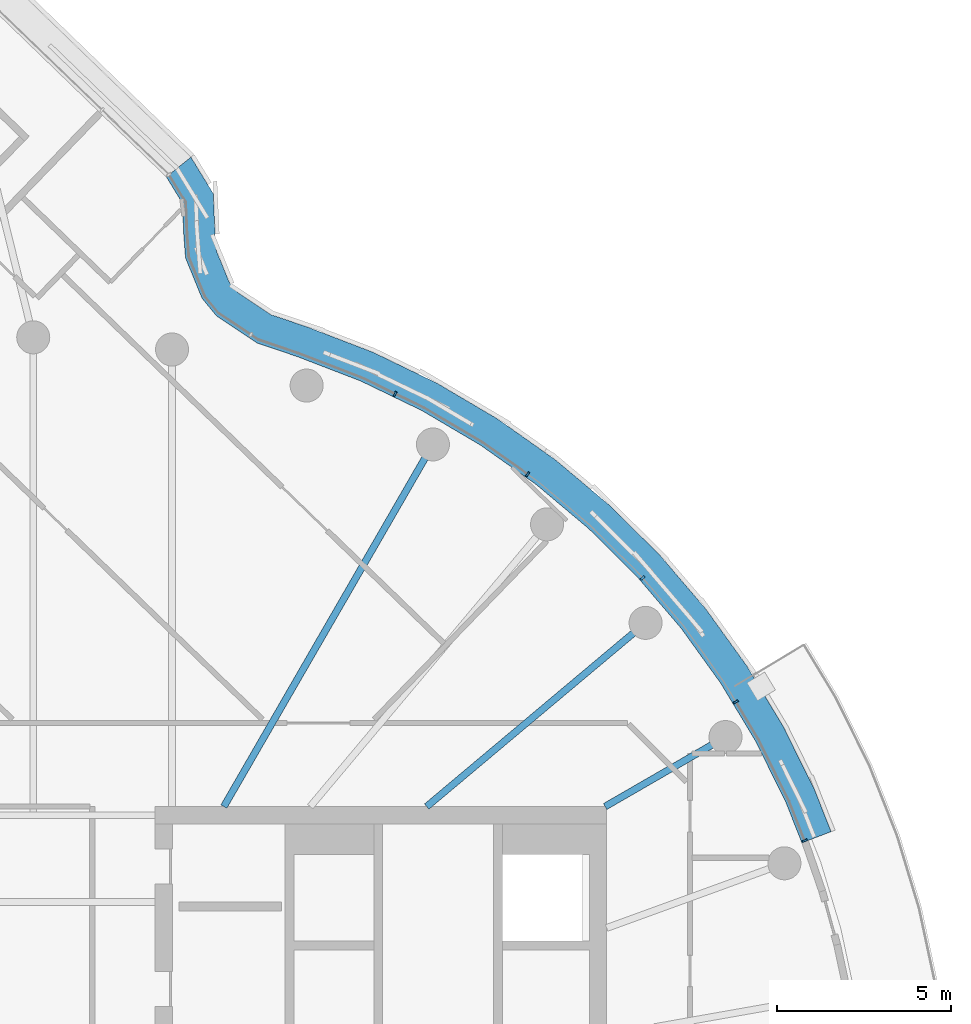
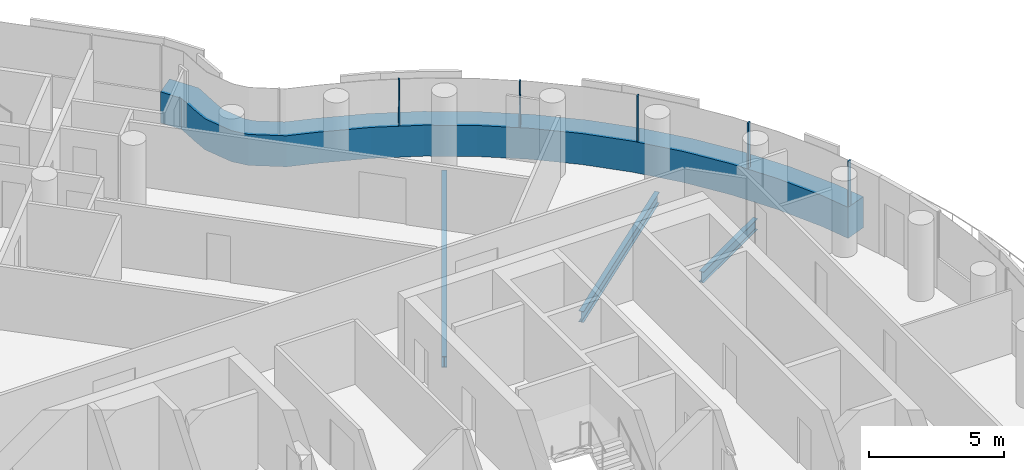
# One storey, part 13 of 31: 6 members, 3 beams, 1 element without a shape of its own.
"""IFC4 building model written with IfcOpenShell, lengths in metres."""

from ifc_helpers import new_model, si_unit, direction, frame, origin, origin_2d, place, context, subcontext, project, spatial, polyline, rectangle, i_section, outline, extrude, material, layer, layer_set, material_profile, profile_set, type_object, element, aggregate, save


model = new_model("IFC4")

# Units and contexts
model_context = context("Model", 3, precision=1e-05, world=origin(), true_north=direction((0.0, 1.0)))
body_context = subcontext(model_context, "Body", "Model", "MODEL_VIEW")
ifc_project = project(units=[si_unit("LENGTHUNIT", "METRE"), si_unit("AREAUNIT", "SQUARE_METRE"), si_unit("VOLUMEUNIT", "CUBIC_METRE"), si_unit("PLANEANGLEUNIT", "RADIAN"), si_unit("MASSUNIT", "GRAM", prefix="KILO")], contexts=[model_context])

# Site, building, storey
site_placement = place(None, origin())
site = spatial("IfcSite", under=ifc_project, at=site_placement, CompositionType="ELEMENT")
building_placement = place(site_placement, origin())
building = spatial("IfcBuilding", under=site, at=building_placement, Name="Tamarind Cross Interchange Tower", CompositionType="ELEMENT")
storey_placement = place(building_placement, frame((0.0, 0.0, 200.5)))
storey = spatial("IfcBuildingStorey", under=building, at=storey_placement, Name="L50", CompositionType="ELEMENT", Elevation=200.5)

# Beams
ifc_material_1 = material(Name="Steel Q355B", Category="steel")
ifc_material_profile_1 = material_profile(ifc_material_1, i_section(OverallWidth=0.198974609375, OverallDepth=0.49609375, WebThickness=0.009033203125, FlangeThickness=0.013916015625, FilletRadius=0.012939453125, at=origin_2d()), Name="HN 496x199x9x14")
ifc_profile_set_1 = profile_set([ifc_material_profile_1], Name="Steel Q355B")
beam_type = type_object("IfcBeamType", Name="Composite beam HN 496x199x9x14 Q355B", PredefinedType="BEAM", material=ifc_profile_set_1)
beam_1_placement = place(storey_placement, frame((19.918701171875, 11.5, -0.387939453125), z_axis=(-0.866026010844, -0.49999894854, 0.0), x_axis=(0.49999894854, -0.866026010844, 0.0)))
element("IfcBeam", 1, at=beam_1_placement, inside=storey, type_object=beam_type, Name="Beam HH03", PredefinedType="BEAM", context=body_context, shape_type="SweptSolid", body=[
    extrude(i_section(OverallWidth=0.198974609375, OverallDepth=0.49609375, WebThickness=0.009033203125, FlangeThickness=0.013916015625, FilletRadius=0.012939453125, at=origin_2d()), origin(), (0.0, 0.0, 1.0), 4.0),
])
beam_2_placement = place(storey_placement, frame((17.619140625, 14.7841796875, -0.387939453125), z_axis=(-0.766040580814, -0.642792212574, 0.0), x_axis=(0.642792212574, -0.766040580814, 0.0)))
element("IfcBeam", 2, at=beam_2_placement, inside=storey, type_object=beam_type, Name="Beam HH04", PredefinedType="BEAM", context=body_context, shape_type="SweptSolid", body=[
    extrude(i_section(OverallWidth=0.198974609375, OverallDepth=0.49609375, WebThickness=0.009033203125, FlangeThickness=0.013916015625, FilletRadius=0.012939453125, at=origin_2d()), origin(), (0.0, 0.0, 1.0), 8.220703125),
])
beam_3_placement = place(storey_placement, frame((11.5, 19.918701171875, -0.387939453125), z_axis=(-0.499993565836, -0.866029118519, 0.0), x_axis=(0.866029118519, -0.499993565836, 0.0)))
element("IfcBeam", 3, at=beam_3_placement, inside=storey, type_object=beam_type, Name="Beam HH06", PredefinedType="BEAM", context=body_context, shape_type="SweptSolid", body=[
    extrude(i_section(OverallWidth=0.198974609375, OverallDepth=0.49609375, WebThickness=0.009033203125, FlangeThickness=0.013916015625, FilletRadius=0.012939453125, at=origin_2d()), origin(), (0.0, 0.0, 1.0), 12.030517578125),
])

# Curtain wall, members
ifc_material_2 = material(Name="Aluminium 6063-T6", Category="aluminium")
ifc_layer = layer(ifc_material_2, 0.139892578125)
ifc_layer_set = layer_set([ifc_layer], Name="Aluminium 6063-T6")
curtain_wall_type = type_object("IfcCurtainWallType", Name="Hotel curtain wall, 4.5 m bays", PredefinedType="NOTDEFINED", material=ifc_layer_set)
curtain_wall_placement = place(storey_placement, origin())
curtain_wall = element("IfcCurtainWall", 4, at=curtain_wall_placement, inside=storey, type_object=curtain_wall_type, Name="CWS-L50-06", PredefinedType="NOTDEFINED")
ifc_material_3 = material(Name="Aluminium and insulated spandrel panel", Category="aluminium")
member_type_1 = type_object("IfcMemberType", Name="Floor-edge blade transom", PredefinedType="USERDEFINED", material=ifc_material_3)
member_1_placement = place(storey_placement, origin())
member_1 = element("IfcMember", 5, at=member_1_placement, type_object=member_type_1, Name="CWT-L50-06-1", ObjectType="TRANSOM", PredefinedType="USERDEFINED", context=body_context, shape_type="SweptSolid", body=[
    extrude(outline(polyline([(22.11572265625, 8.455078125), (21.65869140625, 9.61181640625), (20.791015625, 11.367431640625), (19.78125, 13.045654296875), (18.636474609375, 14.634521484375), (17.3642578125, 16.12353515625), (15.973388671875, 17.50244140625), (14.4736328125, 18.76171875), (12.874755859375, 19.892822265625), (11.188232421875, 20.88818359375), (9.425048828125, 21.74072265625), (7.591552734375, 22.447021484375), (6.437744140625, 22.83740234375), (5.275146484375, 23.611572265625), (4.854736328125, 24.12548828125), (4.38134765625, 25.2861328125), (4.331787109375, 25.9365234375), (4.290771484375, 26.863037109375), (3.828857421875, 27.617431640625), (4.536376953125, 28.18505859375), (5.1796875, 27.135009765625), (5.230224609375, 25.990478515625), (5.267822265625, 25.495361328125), (5.636962890625, 24.590576171875), (5.88623046875, 24.285888671875), (6.838134765625, 23.652099609375), (7.89794921875, 23.29345703125), (9.783203125, 22.567138671875), (11.613525390625, 21.68212890625), (13.3642578125, 20.64892578125), (15.023681640625, 19.474853515625), (16.580810546875, 18.167724609375), (18.0244140625, 16.736572265625), (19.344970703125, 15.19091796875), (20.533203125, 13.54150390625), (21.581298828125, 11.799560546875), (22.482177734375, 9.97705078125), (22.95654296875, 8.776611328125), (22.11572265625, 8.455078125)])), origin(), (0.0, 0.0, 1.0), 1.39990234375),
])
ifc_material_profile_2 = material_profile(ifc_material_2, rectangle(XDim=0.06005859375, YDim=0.139892578125, at=origin_2d()), Name="Mullion CW2")
ifc_profile_set_2 = profile_set([ifc_material_profile_2], Name="Aluminium 6063-T6")
member_type_2 = type_object("IfcMemberType", Name="Mullion CW2", PredefinedType="MULLION", material=ifc_profile_set_2)
member_2_placement = place(storey_placement, frame((22.1982421875, 8.5185546875, 1.39990234375), z_axis=(0.0, 0.0, 1.0), x_axis=(-0.367513773146, 0.930018078613, 0.0)))
member_2 = element("IfcMember", 6, at=member_2_placement, type_object=member_type_2, Name="CWM-L50-06-08", PredefinedType="MULLION", context=body_context, shape_type="SweptSolid", body=[
    extrude(rectangle(XDim=0.06005859375, YDim=0.139892578125, at=origin_2d()), origin(), (0.0, 0.0, 1.0), 2.06005859375),
])
member_3_placement = place(storey_placement, frame((20.21826171875, 12.513427734375, 1.39990234375), z_axis=(0.0, 0.0, 1.0), x_axis=(-0.515577308909, 0.856843065292, 0.0)))
member_3 = element("IfcMember", 7, at=member_3_placement, type_object=member_type_2, Name="CWM-L50-06-09", PredefinedType="MULLION", context=body_context, shape_type="SweptSolid", body=[
    extrude(rectangle(XDim=0.06005859375, YDim=0.139892578125, at=origin_2d()), origin(), (0.0, 0.0, 1.0), 2.06005859375),
])
member_4_placement = place(storey_placement, frame((17.5361328125, 16.076171875, 1.39990234375), z_axis=(0.0, 0.0, 1.0), x_axis=(-0.64957723968, 0.760295606781, 0.0)))
member_4 = element("IfcMember", 8, at=member_4_placement, type_object=member_type_2, Name="CWM-L50-06-10", PredefinedType="MULLION", context=body_context, shape_type="SweptSolid", body=[
    extrude(rectangle(XDim=0.06005859375, YDim=0.139892578125, at=origin_2d()), origin(), (0.0, 0.0, 1.0), 2.06005859375),
])
member_5_placement = place(storey_placement, frame((14.223388671875, 19.061279296875, 1.39990234375), z_axis=(0.0, 0.0, 1.0), x_axis=(-0.816341886298, 0.577568978284, 0.0)))
member_5 = element("IfcMember", 9, at=member_5_placement, type_object=member_type_2, Name="CWM-L50-06-11", PredefinedType="MULLION", context=body_context, shape_type="SweptSolid", body=[
    extrude(rectangle(XDim=0.06005859375, YDim=0.139892578125, at=origin_2d()), origin(), (0.0, 0.0, 1.0), 2.06005859375),
])
member_6_placement = place(storey_placement, frame((10.411376953125, 21.374755859375, 1.39990234375), z_axis=(0.0, 0.0, 1.0), x_axis=(-0.900272776334, 0.435326231914, 0.0)))
member_6 = element("IfcMember", 10, at=member_6_placement, type_object=member_type_2, Name="CWM-L50-06-12", PredefinedType="MULLION", context=body_context, shape_type="SweptSolid", body=[
    extrude(rectangle(XDim=0.06005859375, YDim=0.139892578125, at=origin_2d()), origin(), (0.0, 0.0, 1.0), 2.06005859375),
])
aggregate(curtain_wall, [member_2, member_3, member_4, member_5, member_6, member_1])

save(model, "model.ifc")
